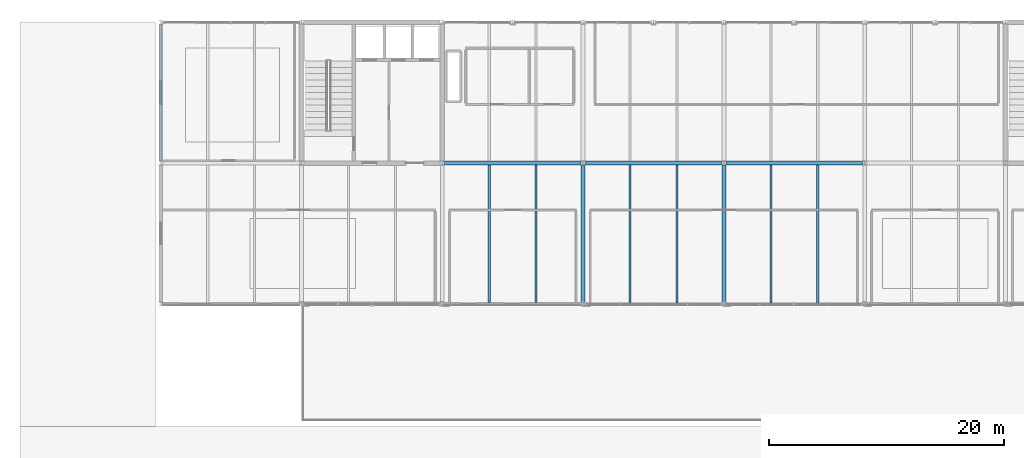
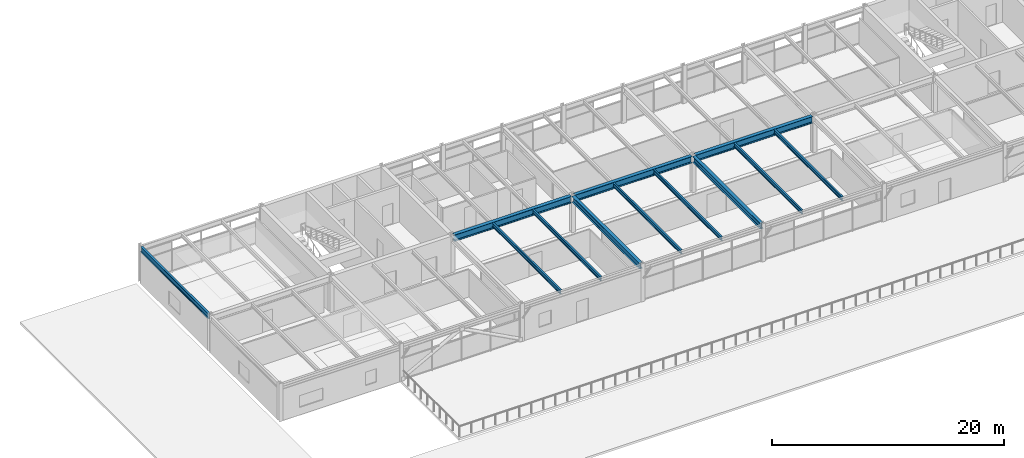
# One storey, part 11 of 30: 12 beams.
"""IFC4 building model written with IfcOpenShell, lengths in metres."""

import ifcopenshell
import ifcopenshell.guid

model = None  # the IFC model being written
_history = None  # IfcOwnerHistory: only IFC2X3 demands one
_inside = {}  # id of a spatial element -> (the spatial element, [elements in it])
_under = {}  # id of a project, library or spatial element -> (it, [spatial elements below it])
_declared = {}  # id of a project -> (the project, [libraries it declares])
_typed = {}  # id of a type object -> (the type object, [elements of that type])
_made_of = {}  # id of a material, layer set ... -> (it, [elements and type objects made of it])


def new_model(schema):
    """Start an empty IFC model of exactly this schema.

    Asked for "IFC4X3", IfcOpenShell would pick the latest addendum, in which some entities
    have other attributes; the version numbers below select the first issue.
    IFC2X3 requires an IfcOwnerHistory on every rooted entity: one is made here for all.
    """
    global model, _history
    if schema == "IFC4X3":
        model = ifcopenshell.file(schema_version=(4, 3, 0, 0))
    else:
        model = ifcopenshell.file(schema=schema)
    _inside.clear()
    _under.clear()
    _declared.clear()
    _typed.clear()
    _made_of.clear()
    _history = None
    if model.schema == "IFC2X3":
        org = make("IfcOrganization", Name="unknown")
        user = make(
            "IfcPersonAndOrganization",
            ThePerson=make("IfcPerson", FamilyName="unknown"),
            TheOrganization=org,
        )
        app = make(
            "IfcApplication",
            ApplicationDeveloper=org,
            Version="unknown",
            ApplicationFullName="unknown",
            ApplicationIdentifier="unknown",
        )
        _history = make(
            "IfcOwnerHistory",
            OwningUser=user,
            OwningApplication=app,
            ChangeAction="ADDED",
            CreationDate=0,
        )
    return model


def make(cls, **values):
    """One entity of the class cls with the attributes given. An attribute that is None is left unset."""
    return model.create_entity(
        cls, **{name: value for name, value in values.items() if value is not None}
    )


def rooted(cls, **values):
    """An entity with a GlobalId (a new one), such as an element, a storey or a relation."""
    return make(cls, GlobalId=ifcopenshell.guid.new(), OwnerHistory=_history, **values)


def si_unit(unit_type, name, prefix=None):
    """IfcSIUnit, for example si_unit("LENGTHUNIT", "METRE", prefix="MILLI")."""
    return make("IfcSIUnit", UnitType=unit_type, Prefix=prefix, Name=name)


def assignment(units):
    """IfcUnitAssignment: the units of a project."""
    return None if units is None else make("IfcUnitAssignment", Units=units)


def point(xyz):
    """IfcCartesianPoint."""
    return None if xyz is None else make("IfcCartesianPoint", Coordinates=xyz)


def direction(xyz):
    """IfcDirection."""
    return None if xyz is None else make("IfcDirection", DirectionRatios=xyz)


def frame(location, z_axis=None, x_axis=None):
    """IfcAxis2Placement3D, a coordinate frame: its origin and axes. An axis left out is left unset."""
    return make(
        "IfcAxis2Placement3D",
        Location=point(location),
        Axis=direction(z_axis),
        RefDirection=direction(x_axis),
    )


def frame_2d(location, x_axis=None):
    """IfcAxis2Placement2D, a coordinate frame in the plane: its origin and x axis."""
    return make(
        "IfcAxis2Placement2D", Location=point(location), RefDirection=direction(x_axis)
    )


def origin():
    """The frame at (0, 0, 0) with its axes left unset."""
    return frame((0.0, 0.0, 0.0))


def origin_2d():
    """The frame at (0, 0) in the plane with its x axis left unset."""
    return frame_2d((0.0, 0.0))


def place(relative_to, where):
    """IfcLocalPlacement: puts the frame where relative to a parent placement (None: the world)."""
    return make(
        "IfcLocalPlacement", PlacementRelTo=relative_to, RelativePlacement=where
    )


def context(
    kind, dimensions, precision=None, world=None, true_north=None, identifier=None
):
    """IfcGeometricRepresentationContext, for example the 3D "Model" context."""
    return make(
        "IfcGeometricRepresentationContext",
        ContextIdentifier=identifier,
        ContextType=kind,
        CoordinateSpaceDimension=dimensions,
        Precision=precision,
        WorldCoordinateSystem=world,
        TrueNorth=true_north,
    )


def subcontext(parent, identifier, kind, view, scale=None):
    """IfcGeometricRepresentationSubContext, for example "Body" below "Model"."""
    return make(
        "IfcGeometricRepresentationSubContext",
        ContextIdentifier=identifier,
        ContextType=kind,
        ParentContext=parent,
        TargetScale=scale,
        TargetView=view,
    )


def project(units=None, contexts=None):
    """IfcProject with its units and contexts."""
    return rooted(
        "IfcProject",
        Name="project",
        RepresentationContexts=contexts,
        UnitsInContext=assignment(units),
    )


def spatial(cls, under=None, at=None, **own):
    """A site, building, storey or space (cls), placed at a placement, below another one or the project."""
    s = rooted(cls, ObjectPlacement=at, **own)
    if under is not None:
        _under.setdefault(under.id(), (under, []))[1].append(s)
    return s


def profile(cls, at=None, kind="AREA", **sizes):
    """A parametric profile (cls). Its sizes go by their IFC names, for example OverallWidth=200.0."""
    return make(cls, ProfileType=kind, Position=at, **sizes)


def i_section(**sizes):
    """IfcIShapeProfileDef."""
    return profile("IfcIShapeProfileDef", **sizes)


def extrude(swept, where, along, depth):
    """IfcExtrudedAreaSolid: the profile swept, set in the frame where, extruded along a direction by depth."""
    return make(
        "IfcExtrudedAreaSolid",
        SweptArea=swept,
        Position=where,
        ExtrudedDirection=direction(along),
        Depth=depth,
    )


def shape(context_of_items, identifier, shape_type, items):
    """IfcShapeRepresentation: the items that make up one representation, for example the "Body"."""
    return make(
        "IfcShapeRepresentation",
        ContextOfItems=context_of_items,
        RepresentationIdentifier=identifier,
        RepresentationType=shape_type,
        Items=items,
    )


def material(Name=None, Category=None):
    """IfcMaterial."""
    return make("IfcMaterial", Name=Name, Category=Category)


def material_profile(
    of_material, cross_section, Name=None, Category=None, Priority=None
):
    """IfcMaterialProfile: a cross section and its material."""
    return make(
        "IfcMaterialProfile",
        Name=Name,
        Material=of_material,
        Profile=cross_section,
        Priority=Priority,
        Category=Category,
    )


def profile_set(profiles, Name=None, composite=None):
    """IfcMaterialProfileSet."""
    return make(
        "IfcMaterialProfileSet",
        Name=Name,
        MaterialProfiles=profiles,
        CompositeProfile=composite,
    )


def made_of(thing, what):
    """Note that an element or type object is made of a material, layer set ...; save() writes the relation."""
    if what is not None:
        _made_of.setdefault(what.id(), (what, []))[1].append(thing)
    return thing


def type_object(cls, material=None, **own):
    """A type object (cls), such as IfcWallType, which elements share."""
    return made_of(rooted(cls, **own), material)


def element(
    cls,
    number,
    at=None,
    inside=None,
    cuts=None,
    type_object=None,
    material=None,
    context=None,
    identifier="Body",
    shape_type=None,
    held_by="IfcProductDefinitionShape",
    body=None,
    shapes=None,
    **own,
):
    """One element of the class cls, such as IfcWall. Its Tag is "e" and its number.

    at: its placement. inside: the storey or other place that contains it. cuts: it is an
    opening in that element (IfcRelVoidsElement). A single representation is given by context,
    identifier, shape_type and body (its items); several are given by shapes. held_by: the class
    of the entity that holds the representations. save() writes the other relations.
    """
    e = rooted(cls, Tag="e%d" % number, ObjectPlacement=at, **own)
    if body is not None:
        shapes = [shape(context, identifier, shape_type, body)]
    if shapes is not None:
        e.Representation = make(held_by, Representations=shapes)
    if inside is not None:
        _inside.setdefault(inside.id(), (inside, []))[1].append(e)
    if cuts is not None:
        rooted(
            "IfcRelVoidsElement", RelatingBuildingElement=cuts, RelatedOpeningElement=e
        )
    if type_object is not None:
        _typed.setdefault(type_object.id(), (type_object, []))[1].append(e)
    return made_of(e, material)


def aggregate(whole, parts):
    """IfcRelAggregates: a whole, such as a stair, and the parts it consists of."""
    return rooted("IfcRelAggregates", RelatingObject=whole, RelatedObjects=parts)


def save(model, path):
    """Write the relations noted so far, then the file.

    IfcRelAggregates (storeys below a building ...), IfcRelContainedInSpatialStructure (elements
    in a storey), IfcRelDefinesByType, IfcRelAssociatesMaterial and IfcRelDeclares: one each for
    every whole, place, type object, material and project.
    """
    for whole, parts in _under.values():
        aggregate(whole, parts)
    for where, things in _inside.values():
        rooted(
            "IfcRelContainedInSpatialStructure",
            RelatedElements=things,
            RelatingStructure=where,
        )
    for kind, things in _typed.values():
        rooted("IfcRelDefinesByType", RelatedObjects=things, RelatingType=kind)
    for what, things in _made_of.values():
        rooted("IfcRelAssociatesMaterial", RelatedObjects=things, RelatingMaterial=what)
    for by, libraries in _declared.values():
        rooted("IfcRelDeclares", RelatingContext=by, RelatedDefinitions=libraries)
    model.write(path)


model = new_model("IFC4")

# Units and contexts
model_context = context("Model", 3, precision=1e-05, world=origin(), true_north=direction((0.0, 1.0)))
body_context = subcontext(model_context, "Body", "Model", "MODEL_VIEW")
ifc_project = project(units=[si_unit("LENGTHUNIT", "METRE"), si_unit("AREAUNIT", "SQUARE_METRE"), si_unit("VOLUMEUNIT", "CUBIC_METRE"), si_unit("PLANEANGLEUNIT", "RADIAN"), si_unit("MASSUNIT", "GRAM", prefix="KILO")], contexts=[model_context])

# Site, building, storey
site_placement = place(None, origin())
site = spatial("IfcSite", under=ifc_project, at=site_placement, CompositionType="ELEMENT")
building_placement = place(site_placement, origin())
building = spatial("IfcBuilding", under=site, at=building_placement, Name="Girod Span Mobility Hub", CompositionType="ELEMENT")
storey_placement = place(building_placement, frame((0.0, 0.0, 49.60009765625)))
storey = spatial("IfcBuildingStorey", under=building, at=storey_placement, Name="L12", CompositionType="ELEMENT", Elevation=49.60009765625)

# Beams
ifc_material_1 = material(Name="Steel A992 Grade 50", Category="steel")
ifc_material_profile_1 = material_profile(ifc_material_1, i_section(OverallWidth=0.178955078125, OverallDepth=0.409912109375, WebThickness=0.0087890625, FlangeThickness=0.014404296875, FilletRadius=0.012939453125, at=origin_2d()), Name="W16X45")
ifc_profile_set_1 = profile_set([ifc_material_profile_1], Name="Steel A992 Grade 50")
beam_type_1 = type_object("IfcBeamType", Name="BM-STL-W16X45", PredefinedType="BEAM", material=ifc_profile_set_1)
for number, where, z_axis, x_axis, name in (
    (1, (64.0, 45.10302734375, 3.639892578125), (0.0, 1.0, 0.0), (-1.0, 0.0, 0.0), "Composite Floorbeam 6/D-1 L12"),
    (2, (68.0, 45.10302734375, 3.639892578125), (0.0, 1.0, 0.0), (-1.0, 0.0, 0.0), "Composite Floorbeam 6/D-2 L12"),
    (3, (76.0, 45.10302734375, 3.639892578125), (0.0, 1.0, 0.0), (-1.0, 0.0, 0.0), "Composite Floorbeam 7/D-1 L12"),
    (4, (80.0, 45.10302734375, 3.639892578125), (0.0, 1.0, 0.0), (-1.0, 0.0, 0.0), "Composite Floorbeam 7/D-2 L12"),
    (5, (88.0, 45.10302734375, 3.639892578125), (0.0, 1.0, 0.0), (-1.0, 0.0, 0.0), "Composite Floorbeam 8/D-1 L12"),
    (6, (92.0, 45.10302734375, 3.639892578125), (0.0, 1.0, 0.0), (-1.0, 0.0, 0.0), "Composite Floorbeam 8/D-2 L12"),
):
    element("IfcBeam", number, at=place(storey_placement, frame(where, z_axis=z_axis, x_axis=x_axis)), inside=storey, type_object=beam_type_1, Name=name, PredefinedType="BEAM", context=body_context, shape_type="SweptSolid", body=[
        extrude(i_section(OverallWidth=0.178955078125, OverallDepth=0.409912109375, WebThickness=0.0087890625, FlangeThickness=0.014404296875, FilletRadius=0.012939453125, at=origin_2d()), origin(), (0.0, 0.0, 1.0), 11.722412109375),
    ])
ifc_material_2 = material(Name="Steel A992 Grade 50", Category="steel")
ifc_material_profile_2 = material_profile(ifc_material_2, i_section(OverallWidth=0.2119140625, OverallDepth=0.5439453125, WebThickness=0.01318359375, FlangeThickness=0.021240234375, FilletRadius=0.014892578125, at=origin_2d()), Name="W21X83")
ifc_profile_set_2 = profile_set([ifc_material_profile_2], Name="Steel A992 Grade 50")
beam_type_2 = type_object("IfcBeamType", Name="BM-STL-W21X83", PredefinedType="SPANDREL", material=ifc_profile_set_2)
beam_placement = place(storey_placement, frame((36.0, 57.175048828125, 3.572998046875), z_axis=(0.0, 1.0, 0.0), x_axis=(-1.0, 0.0, 0.0)))
element("IfcBeam", 7, at=beam_placement, inside=storey, type_object=beam_type_2, Name="Tie Girder 4/E-F L12", PredefinedType="SPANDREL", context=body_context, shape_type="SweptSolid", body=[
    extrude(i_section(OverallWidth=0.2119140625, OverallDepth=0.5439453125, WebThickness=0.01318359375, FlangeThickness=0.021240234375, FilletRadius=0.014892578125, at=origin_2d()), origin(), (0.0, 0.0, 1.0), 11.64990234375),
])
ifc_material_3 = material(Name="Steel A992 Grade 50", Category="steel")
ifc_material_profile_3 = material_profile(ifc_material_3, i_section(OverallWidth=0.323974609375, OverallDepth=0.611083984375, WebThickness=0.0126953125, FlangeThickness=0.01904296875, FilletRadius=0.014892578125, at=origin_2d()), Name="W24X104")
ifc_profile_set_3 = profile_set([ifc_material_profile_3], Name="Steel A992 Grade 50")
beam_type_3 = type_object("IfcBeamType", Name="BM-STL-W24X104", PredefinedType="BEAM", material=ifc_profile_set_3)
for number, where, z_axis, x_axis, name in (
    (8, (72.0, 45.175048828125, 3.539306640625), (0.0, 1.0, 0.0), (-1.0, 0.0, 0.0), "Tie Girder 7/D-E L12"),
    (9, (84.0, 45.175048828125, 3.539306640625), (0.0, 1.0, 0.0), (-1.0, 0.0, 0.0), "Tie Girder 8/D-E L12"),
):
    element("IfcBeam", number, at=place(storey_placement, frame(where, z_axis=z_axis, x_axis=x_axis)), inside=storey, type_object=beam_type_3, Name=name, PredefinedType="BEAM", context=body_context, shape_type="SweptSolid", body=[
        extrude(i_section(OverallWidth=0.323974609375, OverallDepth=0.611083984375, WebThickness=0.0126953125, FlangeThickness=0.01904296875, FilletRadius=0.014892578125, at=origin_2d()), origin(), (0.0, 0.0, 1.0), 11.640380859375),
    ])
ifc_material_4 = material(Name="Steel A992 Grade 50", Category="steel")
ifc_material_profile_4 = material_profile(ifc_material_4, i_section(OverallWidth=0.35498046875, OverallDepth=0.695068359375, WebThickness=0.015380859375, FlangeThickness=0.02490234375, FilletRadius=0.01806640625, at=origin_2d()), Name="W27X146")
ifc_profile_set_4 = profile_set([ifc_material_profile_4], Name="Steel A992 Grade 50")
beam_type_4 = type_object("IfcBeamType", Name="BM-STL-W27X146", PredefinedType="BEAM", material=ifc_profile_set_4)
for number, where, z_axis, x_axis, name in (
    (10, (60.194091796875, 57.0, 3.497314453125), (1.0, 0.0, 0.0), (0.0, 1.0, 0.0), "Girder 6-7/E L12"),
    (11, (72.194091796875, 57.0, 3.497314453125), (1.0, 0.0, 0.0), (0.0, 1.0, 0.0), "Girder 7-8/E L12"),
    (12, (84.194091796875, 57.0, 3.497314453125), (1.0, 0.0, 0.0), (0.0, 1.0, 0.0), "Girder 8-9/E L12"),
):
    element("IfcBeam", number, at=place(storey_placement, frame(where, z_axis=z_axis, x_axis=x_axis)), inside=storey, type_object=beam_type_4, Name=name, PredefinedType="BEAM", context=body_context, shape_type="SweptSolid", body=[
        extrude(i_section(OverallWidth=0.35498046875, OverallDepth=0.695068359375, WebThickness=0.015380859375, FlangeThickness=0.02490234375, FilletRadius=0.01806640625, at=origin_2d()), origin(), (0.0, 0.0, 1.0), 11.61181640625),
    ])

save(model, "model.ifc")
